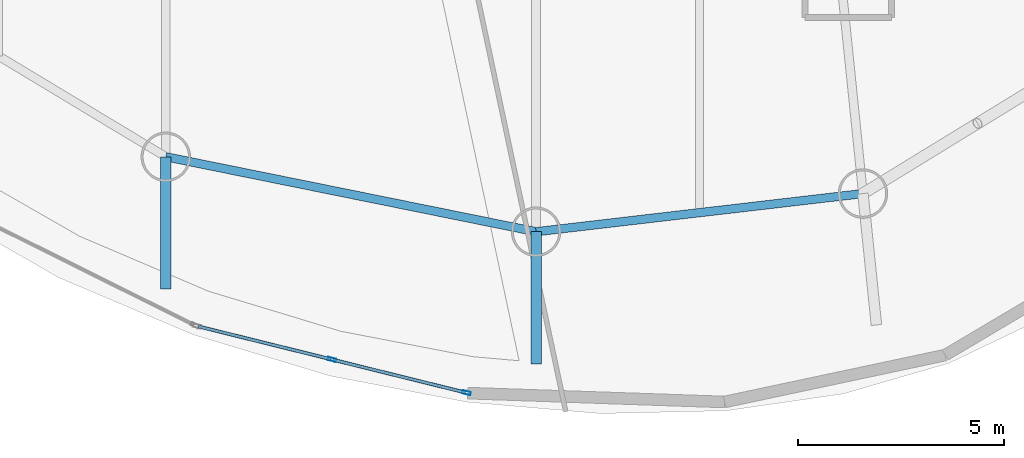
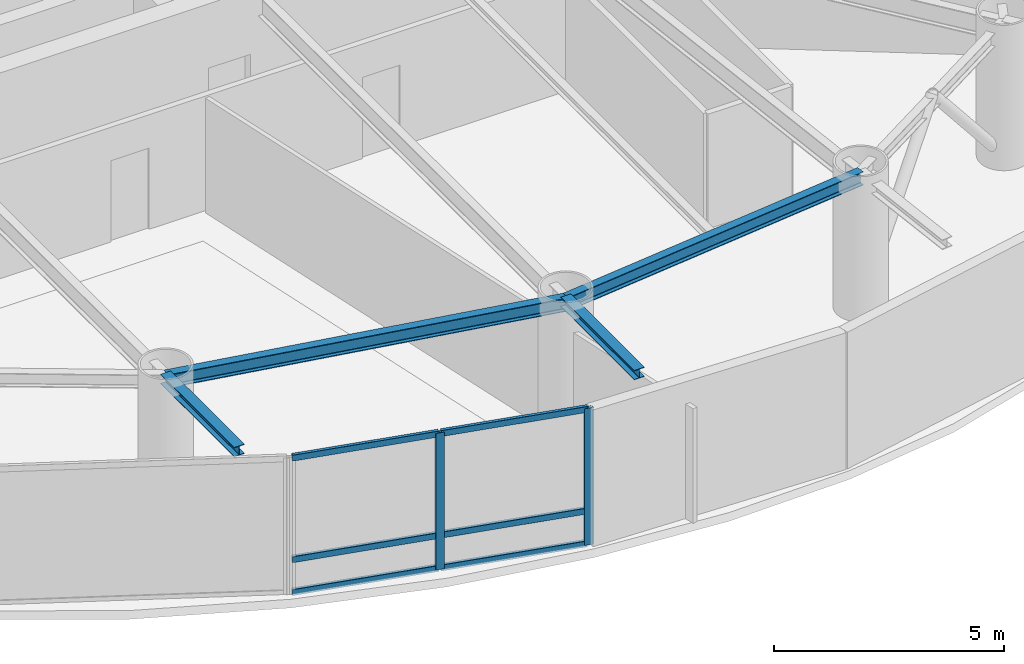
# One storey, part 4 of 22: 8 members, 4 beams, 1 element without a shape of its own.
"""IFC4 building model written with IfcOpenShell, lengths in metres."""

from ifc_helpers import new_model, si_unit, direction, frame, origin, origin_2d, place, context, subcontext, project, spatial, hollow_rectangle, i_section, extrude, material, layer, layer_set, material_profile, profile_set, type_object, element, aggregate, save


model = new_model("IFC4")

# Units and contexts
model_context = context("Model", 3, precision=1e-05, world=origin(), true_north=direction((0.0, 1.0)))
body_context = subcontext(model_context, "Body", "Model", "MODEL_VIEW")
ifc_project = project(units=[si_unit("LENGTHUNIT", "METRE"), si_unit("AREAUNIT", "SQUARE_METRE"), si_unit("VOLUMEUNIT", "CUBIC_METRE"), si_unit("PLANEANGLEUNIT", "RADIAN"), si_unit("MASSUNIT", "GRAM", prefix="KILO")], contexts=[model_context])

# Site, building, storey
site_placement = place(None, origin())
site = spatial("IfcSite", under=ifc_project, at=site_placement, CompositionType="ELEMENT")
building_placement = place(site_placement, origin())
building = spatial("IfcBuilding", under=site, at=building_placement, Name="Bramvorn Convention Spire", CompositionType="ELEMENT")
storey_placement = place(building_placement, frame((0.0, 0.0, 225.10009765625)))
storey = spatial("IfcBuildingStorey", under=building, at=storey_placement, Name="L57", CompositionType="ELEMENT", Elevation=225.10009765625)

# Beams
ifc_material_1 = material(Name="Steel CSA G40.21 Grade 350 (350W)", Category="steel")
ifc_material_profile_1 = material_profile(ifc_material_1, i_section(OverallWidth=0.25390625, OverallDepth=0.2529296875, WebThickness=0.008544921875, FlangeThickness=0.01416015625, FilletRadius=0.011962890625, at=origin_2d()))
ifc_profile_set_1 = profile_set([ifc_material_profile_1], Name="Steel CSA G40.21 Grade 350 (350W) - W250X73")
beam_type_1 = type_object("IfcBeamType", Name="BM-W250X73", PredefinedType="BEAM", material=ifc_profile_set_1)
for number, where, z_axis, x_axis, name in (
    (1, (33.61083984375, 7.227783203125, 3.493408203125), (0.0, -1.0, 0.0), (1.0, 0.0, 0.0), "L57 slab-edge cantilever tip beam MC14"),
    (2, (42.583740234375, 5.41162109375, 3.493408203125), (0.0, -1.0, 0.0), (1.0, 0.0, 0.0), "L57 slab-edge cantilever tip beam MC15"),
):
    element("IfcBeam", number, at=place(storey_placement, frame(where, z_axis=z_axis, x_axis=x_axis)), inside=storey, type_object=beam_type_1, Name=name, PredefinedType="BEAM", context=body_context, shape_type="SweptSolid", body=[
        extrude(i_section(OverallWidth=0.25390625, OverallDepth=0.2529296875, WebThickness=0.008544921875, FlangeThickness=0.01416015625, FilletRadius=0.011962890625, at=origin_2d()), origin(), (0.0, 0.0, 1.0), 3.199951171875),
    ])
ifc_material_profile_2 = material_profile(ifc_material_1, i_section(OverallWidth=0.205078125, OverallDepth=0.35400390625, WebThickness=0.009521484375, FlangeThickness=0.016845703125, FilletRadius=0.014892578125, at=origin_2d()))
ifc_profile_set_2 = profile_set([ifc_material_profile_2], Name="Steel CSA G40.21 Grade 350 (350W) - W360X79")
beam_type_2 = type_object("IfcBeamType", Name="BM-W360X79", PredefinedType="JOIST", material=ifc_profile_set_2)
beam_1_placement = place(storey_placement, frame((33.61083984375, 7.227783203125, 3.44287109375), z_axis=(0.980124701676, -0.198382381187, 0.0), x_axis=(0.198382381187, 0.980124701676, 0.0)))
element("IfcBeam", 3, at=beam_1_placement, inside=storey, type_object=beam_type_2, Name="L57 mega-column ring beam 14", PredefinedType="JOIST", context=body_context, shape_type="SweptSolid", body=[
    extrude(i_section(OverallWidth=0.205078125, OverallDepth=0.35400390625, WebThickness=0.009521484375, FlangeThickness=0.016845703125, FilletRadius=0.014892578125, at=origin_2d()), origin(), (0.0, 0.0, 1.0), 9.15478515625),
])
beam_2_placement = place(storey_placement, frame((42.583740234375, 5.41162109375, 3.44287109375), z_axis=(0.993256148339, 0.115940604561, 0.0), x_axis=(-0.115940604561, 0.993256148339, 0.0)))
element("IfcBeam", 4, at=beam_2_placement, inside=storey, type_object=beam_type_2, Name="L57 mega-column ring beam 15", PredefinedType="JOIST", context=body_context, shape_type="SweptSolid", body=[
    extrude(i_section(OverallWidth=0.205078125, OverallDepth=0.35400390625, WebThickness=0.009521484375, FlangeThickness=0.016845703125, FilletRadius=0.014892578125, at=origin_2d()), origin(), (0.0, 0.0, 1.0), 7.974365234375),
])

# Curtain wall, members
ifc_material_2 = material(Name="Anodised Bronze Unitised Curtain Wall", Category="aluminium")
ifc_layer = layer(ifc_material_2, 0.179931640625)
ifc_layer_set = layer_set([ifc_layer], Name="Anodised Bronze Unitised Curtain Wall - CW-OFF-FRIT")
curtain_wall_type = type_object("IfcCurtainWallType", Name="CW-OFF-FRIT", PredefinedType="USERDEFINED", material=ifc_layer_set)
curtain_wall_placement = place(storey_placement, origin())
curtain_wall = element("IfcCurtainWall", 5, at=curtain_wall_placement, inside=storey, type_object=curtain_wall_type, Name="L57 fritted glass curtain wall 21", ObjectType="UNITISED CURTAIN WALL", PredefinedType="USERDEFINED")
ifc_material_3 = material(Name="Anodised Bronze Aluminium 6063-T6", Category="aluminium")
ifc_material_profile_3 = material_profile(ifc_material_3, hollow_rectangle(XDim=0.080078125, YDim=0.199951171875, WallThickness=0.00390625, InnerFilletRadius=0.0009765625, OuterFilletRadius=0.00390625, at=origin_2d()))
ifc_profile_set_3 = profile_set([ifc_material_profile_3], Name="Anodised Bronze Aluminium 6063-T6 - CWM80X200")
member_type_1 = type_object("IfcMemberType", Name="CW-MUL-180", PredefinedType="MULLION", material=ifc_profile_set_3)
member_1_placement = place(storey_placement, frame((40.900390625, 1.508056640625, 0.0), z_axis=(0.0, 0.0, 1.0), x_axis=(-0.240180059573, -0.970728354888, 0.0)))
member_1 = element("IfcMember", 6, at=member_1_placement, type_object=member_type_1, Name="CW3 mullion 1", PredefinedType="MULLION", context=body_context, shape_type="SweptSolid", body=[
    extrude(hollow_rectangle(XDim=0.080078125, YDim=0.199951171875, WallThickness=0.00390625, InnerFilletRadius=0.0009765625, OuterFilletRadius=0.00390625, at=origin_2d()), origin(), (0.0, 0.0, 1.0), 3.619873046875),
])
member_2_placement = place(storey_placement, frame((37.636474609375, 2.3154296875, 0.0), z_axis=(0.0, 0.0, 1.0), x_axis=(-0.240180059573, -0.970728354888, 0.0)))
member_2 = element("IfcMember", 7, at=member_2_placement, type_object=member_type_1, Name="CW3 mullion 2", PredefinedType="MULLION", context=body_context, shape_type="SweptSolid", body=[
    extrude(hollow_rectangle(XDim=0.080078125, YDim=0.199951171875, WallThickness=0.00390625, InnerFilletRadius=0.0009765625, OuterFilletRadius=0.00390625, at=origin_2d()), origin(), (0.0, 0.0, 1.0), 3.619873046875),
])
ifc_material_profile_4 = material_profile(ifc_material_3, hollow_rectangle(XDim=0.080078125, YDim=0.159912109375, WallThickness=0.00390625, InnerFilletRadius=0.0009765625, OuterFilletRadius=0.00390625, at=origin_2d()))
ifc_profile_set_4 = profile_set([ifc_material_profile_4], Name="Anodised Bronze Aluminium 6063-T6 - CWT80X160")
member_type_2 = type_object("IfcMemberType", Name="CW-TRN-150", PredefinedType="USERDEFINED", material=ifc_profile_set_4)
member_3_placement = place(storey_placement, frame((40.871337890625, 1.51513671875, 0.02978515625), z_axis=(-0.97072245499, 0.240203903752, 0.0), x_axis=(-0.240203903752, -0.97072245499, 0.0)))
member_3 = element("IfcMember", 8, at=member_3_placement, type_object=member_type_2, Name="CW3 transom 1.1", ObjectType="TRANSOM", PredefinedType="USERDEFINED", context=body_context, shape_type="SweptSolid", body=[
    extrude(hollow_rectangle(XDim=0.080078125, YDim=0.159912109375, WallThickness=0.00390625, InnerFilletRadius=0.0009765625, OuterFilletRadius=0.00390625, at=origin_2d()), origin(), (0.0, 0.0, 1.0), 3.30224609375),
])
member_4_placement = place(storey_placement, frame((40.871337890625, 1.51513671875, 0.89990234375), z_axis=(-0.97072245499, 0.240203903752, 0.0), x_axis=(-0.240203903752, -0.97072245499, 0.0)))
member_4 = element("IfcMember", 9, at=member_4_placement, type_object=member_type_2, Name="CW3 transom 1.2", ObjectType="TRANSOM", PredefinedType="USERDEFINED", context=body_context, shape_type="SweptSolid", body=[
    extrude(hollow_rectangle(XDim=0.080078125, YDim=0.159912109375, WallThickness=0.00390625, InnerFilletRadius=0.0009765625, OuterFilletRadius=0.00390625, at=origin_2d()), origin(), (0.0, 0.0, 1.0), 3.30224609375),
])
member_5_placement = place(storey_placement, frame((40.871337890625, 1.51513671875, 3.58984375), z_axis=(-0.97072245499, 0.240203903752, 0.0), x_axis=(-0.240203903752, -0.97072245499, 0.0)))
member_5 = element("IfcMember", 10, at=member_5_placement, type_object=member_type_2, Name="CW3 transom 1.3", ObjectType="TRANSOM", PredefinedType="USERDEFINED", context=body_context, shape_type="SweptSolid", body=[
    extrude(hollow_rectangle(XDim=0.080078125, YDim=0.159912109375, WallThickness=0.00390625, InnerFilletRadius=0.0009765625, OuterFilletRadius=0.00390625, at=origin_2d()), origin(), (0.0, 0.0, 1.0), 3.30224609375),
])
member_6_placement = place(storey_placement, frame((37.607421875, 2.32275390625, 0.02978515625), z_axis=(-0.97072245499, 0.240203903752, 0.0), x_axis=(-0.240203903752, -0.97072245499, 0.0)))
member_6 = element("IfcMember", 11, at=member_6_placement, type_object=member_type_2, Name="CW3 transom 2.1", ObjectType="TRANSOM", PredefinedType="USERDEFINED", context=body_context, shape_type="SweptSolid", body=[
    extrude(hollow_rectangle(XDim=0.080078125, YDim=0.159912109375, WallThickness=0.00390625, InnerFilletRadius=0.0009765625, OuterFilletRadius=0.00390625, at=origin_2d()), origin(), (0.0, 0.0, 1.0), 3.30224609375),
])
member_7_placement = place(storey_placement, frame((37.607421875, 2.32275390625, 0.89990234375), z_axis=(-0.97072245499, 0.240203903752, 0.0), x_axis=(-0.240203903752, -0.97072245499, 0.0)))
member_7 = element("IfcMember", 12, at=member_7_placement, type_object=member_type_2, Name="CW3 transom 2.2", ObjectType="TRANSOM", PredefinedType="USERDEFINED", context=body_context, shape_type="SweptSolid", body=[
    extrude(hollow_rectangle(XDim=0.080078125, YDim=0.159912109375, WallThickness=0.00390625, InnerFilletRadius=0.0009765625, OuterFilletRadius=0.00390625, at=origin_2d()), origin(), (0.0, 0.0, 1.0), 3.30224609375),
])
member_8_placement = place(storey_placement, frame((37.607421875, 2.32275390625, 3.58984375), z_axis=(-0.97072245499, 0.240203903752, 0.0), x_axis=(-0.240203903752, -0.97072245499, 0.0)))
member_8 = element("IfcMember", 13, at=member_8_placement, type_object=member_type_2, Name="CW3 transom 2.3", ObjectType="TRANSOM", PredefinedType="USERDEFINED", context=body_context, shape_type="SweptSolid", body=[
    extrude(hollow_rectangle(XDim=0.080078125, YDim=0.159912109375, WallThickness=0.00390625, InnerFilletRadius=0.0009765625, OuterFilletRadius=0.00390625, at=origin_2d()), origin(), (0.0, 0.0, 1.0), 3.30224609375),
])
aggregate(curtain_wall, [member_1, member_2, member_3, member_4, member_5, member_6, member_7, member_8])

save(model, "model.ifc")
